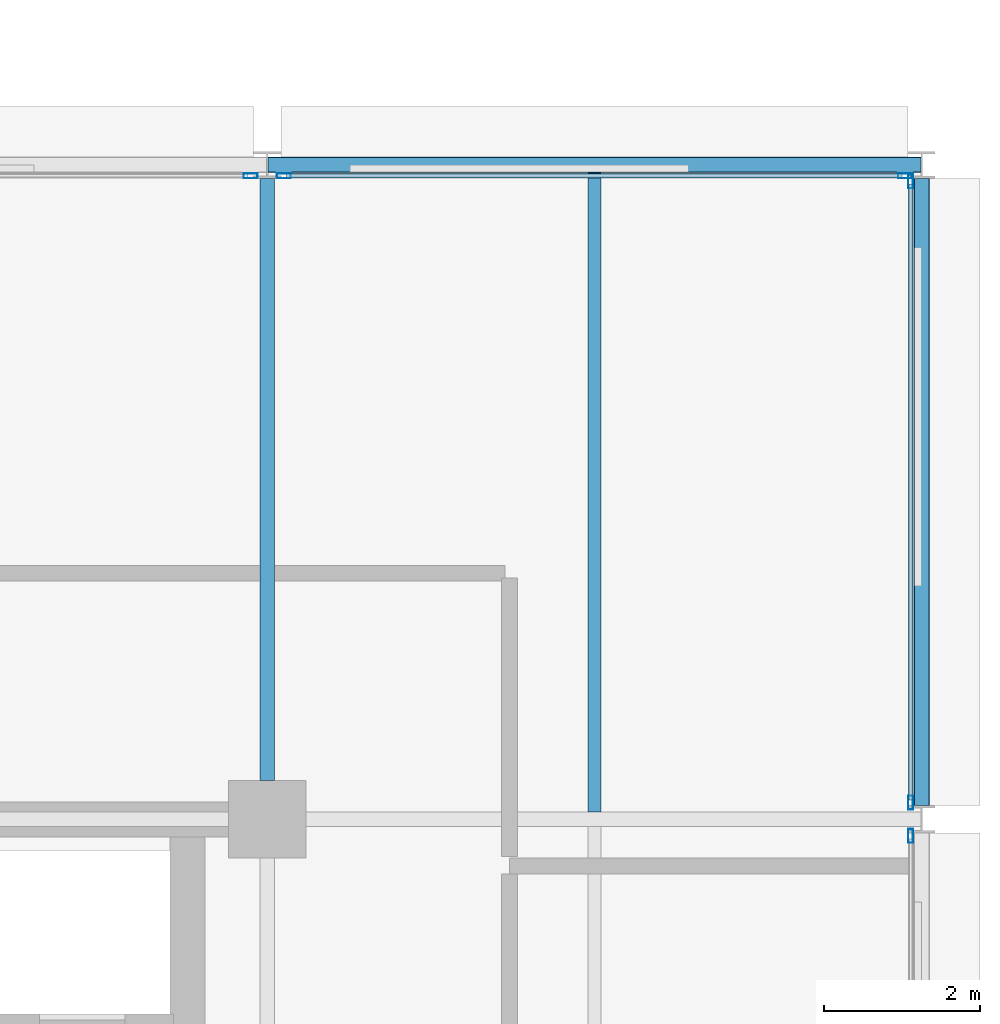
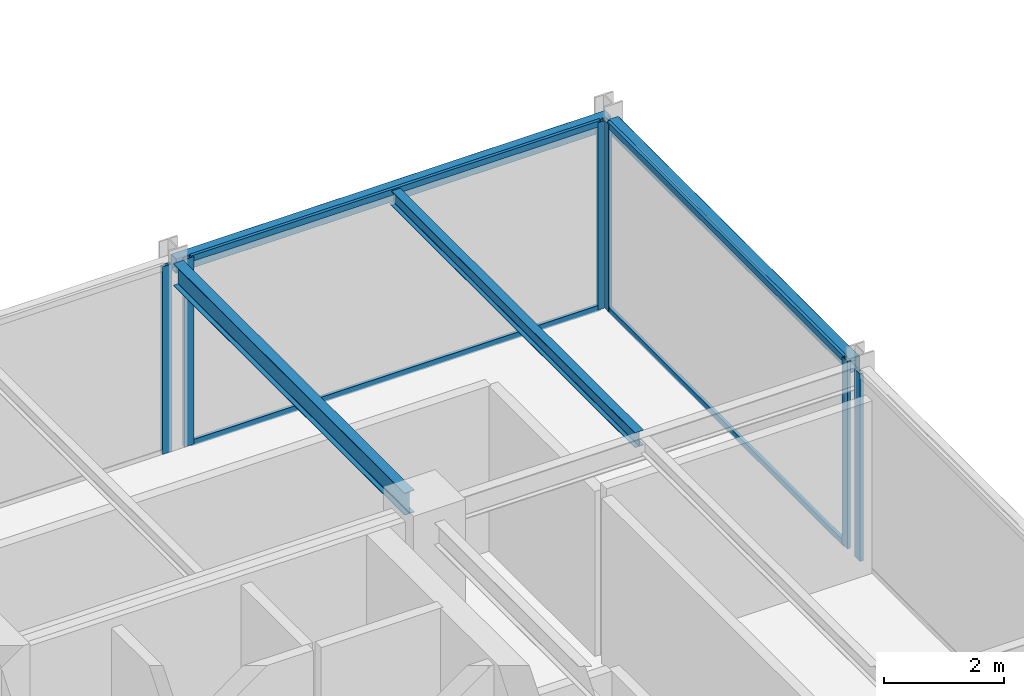
# One storey, part 15 of 26: 10 members, 4 beams, 4 elements without a shape of their own.
"""IFC4 building model written with IfcOpenShell, lengths in metres."""

from ifc_helpers import new_model, si_unit, direction, frame, origin, origin_2d, place, context, subcontext, project, spatial, hollow_rectangle, i_section, extrude, material, layer, layer_set, material_profile, profile_set, type_object, element, aggregate, save


model = new_model("IFC4")

# Units and contexts
model_context = context("Model", 3, precision=1e-05, world=origin(), true_north=direction((0.0, 1.0)))
body_context = subcontext(model_context, "Body", "Model", "MODEL_VIEW")
ifc_project = project(units=[si_unit("LENGTHUNIT", "METRE"), si_unit("AREAUNIT", "SQUARE_METRE"), si_unit("VOLUMEUNIT", "CUBIC_METRE"), si_unit("PLANEANGLEUNIT", "RADIAN"), si_unit("MASSUNIT", "GRAM", prefix="KILO")], contexts=[model_context])

# Site, building, storey
site_placement = place(None, origin())
site = spatial("IfcSite", under=ifc_project, at=site_placement, CompositionType="ELEMENT")
building_placement = place(site_placement, origin())
building = spatial("IfcBuilding", under=site, at=building_placement, Name="Nerrivon Quay Data Exchange", CompositionType="ELEMENT")
storey_placement = place(building_placement, frame((0.0, 0.0, 228.800048828125)))
storey = spatial("IfcBuildingStorey", under=building, at=storey_placement, Name="L54", CompositionType="ELEMENT", Elevation=228.800048828125)

# Beams
ifc_material_1 = material(Name="Steel Grade 350", Category="steel")
ifc_material_profile_1 = material_profile(ifc_material_1, i_section(OverallWidth=0.18994140625, OverallDepth=0.4541015625, WebThickness=0.008544921875, FlangeThickness=0.0126953125, FilletRadius=0.011474609375, at=origin_2d()), Name="460UB67.1")
ifc_profile_set_1 = profile_set([ifc_material_profile_1], Name="Steel Grade 350")
beam_type_1 = type_object("IfcBeamType", Name="BM-G6-460UB67", PredefinedType="BEAM", material=ifc_profile_set_1)
beam_1_placement = place(storey_placement, frame((33.60009765625, 17.300048828125, 3.597900390625), z_axis=(0.0, 1.0, 0.0), x_axis=(-1.0, 0.0, 0.0)))
element("IfcBeam", 1, at=beam_1_placement, inside=storey, type_object=beam_type_1, Name="L54 NS Girder X=33.6 (16.8..25.2)", PredefinedType="BEAM", context=body_context, shape_type="SweptSolid", body=[
    extrude(i_section(OverallWidth=0.18994140625, OverallDepth=0.4541015625, WebThickness=0.008544921875, FlangeThickness=0.0126953125, FilletRadius=0.011474609375, at=origin_2d()), origin(), (0.0, 0.0, 1.0), 7.724853515625),
])
ifc_material_profile_2 = material_profile(ifc_material_1, i_section(OverallWidth=0.166015625, OverallDepth=0.306884765625, WebThickness=0.006591796875, FlangeThickness=0.01171875, FilletRadius=0.011474609375, at=origin_2d()), Name="310UB46.2")
ifc_profile_set_2 = profile_set([ifc_material_profile_2], Name="Steel Grade 350")
beam_type_2 = type_object("IfcBeamType", Name="BM-J5-310UB46", PredefinedType="JOIST", material=ifc_profile_set_2)
beam_2_placement = place(storey_placement, frame((37.800048828125, 16.8955078125, 3.67138671875), z_axis=(0.0, 1.0, 0.0), x_axis=(-1.0, 0.0, 0.0)))
element("IfcBeam", 2, at=beam_2_placement, inside=storey, type_object=beam_type_2, Name="L54 Secondary Joist X=37.8 (16.8..25.2)", PredefinedType="JOIST", context=body_context, shape_type="SweptSolid", body=[
    extrude(i_section(OverallWidth=0.166015625, OverallDepth=0.306884765625, WebThickness=0.006591796875, FlangeThickness=0.01171875, FilletRadius=0.011474609375, at=origin_2d()), origin(), (0.0, 0.0, 1.0), 8.20458984375),
])
ifc_material_2 = material(Name="Steel Grade C350L0 (350 MPa)", Category="steel")
ifc_material_profile_3 = material_profile(ifc_material_2, hollow_rectangle(XDim=0.199951171875, YDim=0.300048828125, WallThickness=0.012451171875, InnerFilletRadius=0.018798828125, OuterFilletRadius=0.03125, at=origin_2d()), Name="300x200x12.5RHS")
ifc_profile_set_3 = profile_set([ifc_material_profile_3], Name="Steel Grade C350L0 (350 MPa)")
beam_type_3 = type_object("IfcBeamType", Name="BM-SP3-300x200RHS", PredefinedType="SPANDREL", material=ifc_profile_set_3)
beam_3_placement = place(storey_placement, frame((33.610107421875, 25.199951171875, 3.675048828125), z_axis=(1.0, 0.0, 0.0), x_axis=(0.0, 1.0, 0.0)))
element("IfcBeam", 3, at=beam_3_placement, inside=storey, type_object=beam_type_3, Name="L54 EW Girder Y=25.2 (33.6..42.0)", PredefinedType="SPANDREL", context=body_context, shape_type="SweptSolid", body=[
    extrude(hollow_rectangle(XDim=0.199951171875, YDim=0.300048828125, WallThickness=0.012451171875, InnerFilletRadius=0.018798828125, OuterFilletRadius=0.03125, at=origin_2d()), origin(), (0.0, 0.0, 1.0), 8.3798828125),
])
beam_4_placement = place(storey_placement, frame((42.0, 16.97509765625, 3.675048828125), z_axis=(0.0, 1.0, 0.0), x_axis=(-1.0, 0.0, 0.0)))
element("IfcBeam", 4, at=beam_4_placement, inside=storey, type_object=beam_type_3, Name="L54 NS Girder X=42.0 (16.8..25.2)", PredefinedType="SPANDREL", context=body_context, shape_type="SweptSolid", body=[
    extrude(hollow_rectangle(XDim=0.199951171875, YDim=0.300048828125, WallThickness=0.012451171875, InnerFilletRadius=0.018798828125, OuterFilletRadius=0.03125, at=origin_2d()), origin(), (0.0, 0.0, 1.0), 8.0498046875),
])

# Curtain wall, member
ifc_material_3 = material(Name="Anodised aluminium 6063-T6", Category="aluminium")
ifc_layer = layer(ifc_material_3, 0.195068359375)
ifc_layer_set = layer_set([ifc_layer], Name="Anodised aluminium 6063-T6")
curtain_wall_type = type_object("IfcCurtainWallType", Name="CW-SYS-06", PredefinedType="NOTDEFINED", material=ifc_layer_set)
curtain_wall_1_placement = place(storey_placement, origin())
curtain_wall_1 = element("IfcCurtainWall", 5, at=curtain_wall_1_placement, inside=storey, type_object=curtain_wall_type, Name="L54 Unitised Curtain Wall 24", PredefinedType="NOTDEFINED")
ifc_material_profile_4 = material_profile(ifc_material_3, hollow_rectangle(XDim=0.06494140625, YDim=0.179931640625, WallThickness=0.00341796875, at=origin_2d()), Name="ALU-MULL-180x65")
ifc_profile_set_4 = profile_set([ifc_material_profile_4], Name="Anodised aluminium 6063-T6")
member_type_1 = type_object("IfcMemberType", Name="CWM-180x65", PredefinedType="MULLION", material=ifc_profile_set_4)
member_1_placement = place(storey_placement, frame((33.387451171875, 25.06005859375, 0.0), z_axis=(0.0, 0.0, 1.0), x_axis=(0.0, 1.0, 0.0)))
member_1 = element("IfcMember", 6, at=member_1_placement, type_object=member_type_1, Name="CW06 mullion 2", PredefinedType="MULLION", context=body_context, shape_type="SweptSolid", body=[
    extrude(hollow_rectangle(XDim=0.06494140625, YDim=0.179931640625, WallThickness=0.00341796875, at=origin_2d()), origin(), (0.0, 0.0, 1.0), 3.824951171875),
])
aggregate(curtain_wall_1, [member_1])

# Curtain wall, members
curtain_wall_2_placement = place(storey_placement, origin())
curtain_wall_2 = element("IfcCurtainWall", 7, at=curtain_wall_2_placement, inside=storey, type_object=curtain_wall_type, Name="L54 Unitised Curtain Wall 25", PredefinedType="NOTDEFINED")
member_2_placement = place(storey_placement, frame((33.8125, 25.06005859375, 0.0), z_axis=(0.0, 0.0, 1.0), x_axis=(0.0, 1.0, 0.0)))
member_2 = element("IfcMember", 8, at=member_2_placement, type_object=member_type_1, Name="CW06 mullion 1", PredefinedType="MULLION", context=body_context, shape_type="SweptSolid", body=[
    extrude(hollow_rectangle(XDim=0.06494140625, YDim=0.179931640625, WallThickness=0.00341796875, at=origin_2d()), origin(), (0.0, 0.0, 1.0), 3.824951171875),
])
member_3_placement = place(storey_placement, frame((41.78759765625, 25.06005859375, 0.0), z_axis=(0.0, 0.0, 1.0), x_axis=(0.0, 1.0, 0.0)))
member_3 = element("IfcMember", 9, at=member_3_placement, type_object=member_type_1, Name="CW06 mullion 2", PredefinedType="MULLION", context=body_context, shape_type="SweptSolid", body=[
    extrude(hollow_rectangle(XDim=0.06494140625, YDim=0.179931640625, WallThickness=0.00341796875, at=origin_2d()), origin(), (0.0, 0.0, 1.0), 3.824951171875),
])

curtain_wall_3_placement = place(storey_placement, origin())
curtain_wall_3 = element("IfcCurtainWall", 10, at=curtain_wall_3_placement, inside=storey, type_object=curtain_wall_type, Name="L54 Unitised Curtain Wall 26", PredefinedType="NOTDEFINED")
member_4_placement = place(storey_placement, frame((41.860107421875, 24.987548828125, 0.0), z_axis=(0.0, 0.0, 1.0), x_axis=(1.0, 0.0, 0.0)))
member_4 = element("IfcMember", 11, at=member_4_placement, type_object=member_type_1, Name="CW06 mullion 1", PredefinedType="MULLION", context=body_context, shape_type="SweptSolid", body=[
    extrude(hollow_rectangle(XDim=0.06494140625, YDim=0.179931640625, WallThickness=0.00341796875, at=origin_2d()), origin(), (0.0, 0.0, 1.0), 3.824951171875),
])
member_5_placement = place(storey_placement, frame((41.860107421875, 17.012451171875, 0.0), z_axis=(0.0, 0.0, 1.0), x_axis=(1.0, 0.0, 0.0)))
member_5 = element("IfcMember", 12, at=member_5_placement, type_object=member_type_1, Name="CW06 mullion 2", PredefinedType="MULLION", context=body_context, shape_type="SweptSolid", body=[
    extrude(hollow_rectangle(XDim=0.06494140625, YDim=0.179931640625, WallThickness=0.00341796875, at=origin_2d()), origin(), (0.0, 0.0, 1.0), 3.824951171875),
])

# Curtain wall, member
curtain_wall_4_placement = place(storey_placement, origin())
curtain_wall_4 = element("IfcCurtainWall", 13, at=curtain_wall_4_placement, inside=storey, type_object=curtain_wall_type, Name="L54 Unitised Curtain Wall 27", PredefinedType="NOTDEFINED")
member_6_placement = place(storey_placement, frame((41.860107421875, 16.58740234375, 0.0), z_axis=(0.0, 0.0, 1.0), x_axis=(1.0, 0.0, 0.0)))
member_6 = element("IfcMember", 14, at=member_6_placement, type_object=member_type_1, Name="CW06 mullion 1", PredefinedType="MULLION", context=body_context, shape_type="SweptSolid", body=[
    extrude(hollow_rectangle(XDim=0.06494140625, YDim=0.179931640625, WallThickness=0.00341796875, at=origin_2d()), origin(), (0.0, 0.0, 1.0), 3.824951171875),
])
aggregate(curtain_wall_4, [member_6])

# Member
ifc_material_profile_5 = material_profile(ifc_material_3, hollow_rectangle(XDim=0.06005859375, YDim=0.1201171875, WallThickness=0.003173828125, at=origin_2d()), Name="ALU-TRAN-120x60")
ifc_profile_set_5 = profile_set([ifc_material_profile_5], Name="Anodised aluminium 6063-T6")
member_type_2 = type_object("IfcMemberType", Name="CWT-120x60", PredefinedType="USERDEFINED", material=ifc_profile_set_5)
member_7_placement = place(storey_placement, frame((33.85009765625, 25.06005859375, 0.032470703125), z_axis=(1.0, 0.0, 0.0), x_axis=(0.0, 1.0, 0.0)))
member_7 = element("IfcMember", 15, at=member_7_placement, type_object=member_type_2, Name="CW06 transom 1.1", ObjectType="TRANSOM", PredefinedType="USERDEFINED", context=body_context, shape_type="SweptSolid", body=[
    extrude(hollow_rectangle(XDim=0.06005859375, YDim=0.1201171875, WallThickness=0.003173828125, at=origin_2d()), origin(), (0.0, 0.0, 1.0), 7.89990234375),
])

member_8_placement = place(storey_placement, frame((33.85009765625, 25.06005859375, 3.79248046875), z_axis=(1.0, 0.0, 0.0), x_axis=(0.0, 1.0, 0.0)))
member_8 = element("IfcMember", 16, at=member_8_placement, type_object=member_type_2, Name="CW06 transom 1.2", ObjectType="TRANSOM", PredefinedType="USERDEFINED", context=body_context, shape_type="SweptSolid", body=[
    extrude(hollow_rectangle(XDim=0.06005859375, YDim=0.1201171875, WallThickness=0.003173828125, at=origin_2d()), origin(), (0.0, 0.0, 1.0), 7.89990234375),
])

aggregate(curtain_wall_2, [member_2, member_3, member_7, member_8])

member_9_placement = place(storey_placement, frame((41.860107421875, 24.949951171875, 0.032470703125), z_axis=(0.0, -1.0, 0.0), x_axis=(1.0, 0.0, 0.0)))
member_9 = element("IfcMember", 17, at=member_9_placement, type_object=member_type_2, Name="CW06 transom 1.1", ObjectType="TRANSOM", PredefinedType="USERDEFINED", context=body_context, shape_type="SweptSolid", body=[
    extrude(hollow_rectangle(XDim=0.06005859375, YDim=0.1201171875, WallThickness=0.003173828125, at=origin_2d()), origin(), (0.0, 0.0, 1.0), 7.89990234375),
])

member_10_placement = place(storey_placement, frame((41.860107421875, 24.949951171875, 3.79248046875), z_axis=(0.0, -1.0, 0.0), x_axis=(1.0, 0.0, 0.0)))
member_10 = element("IfcMember", 18, at=member_10_placement, type_object=member_type_2, Name="CW06 transom 1.2", ObjectType="TRANSOM", PredefinedType="USERDEFINED", context=body_context, shape_type="SweptSolid", body=[
    extrude(hollow_rectangle(XDim=0.06005859375, YDim=0.1201171875, WallThickness=0.003173828125, at=origin_2d()), origin(), (0.0, 0.0, 1.0), 7.89990234375),
])

aggregate(curtain_wall_3, [member_4, member_5, member_9, member_10])

save(model, "model.ifc")
